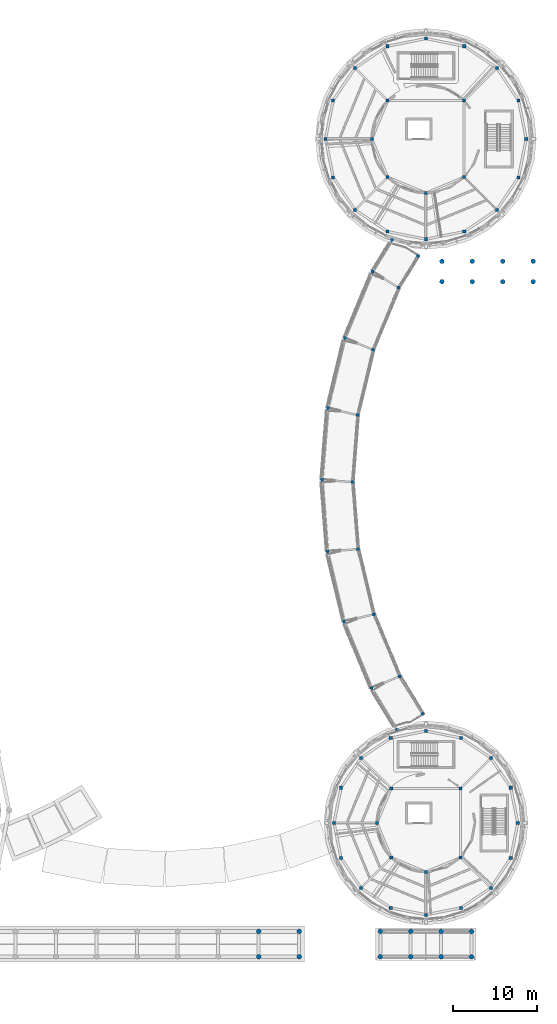
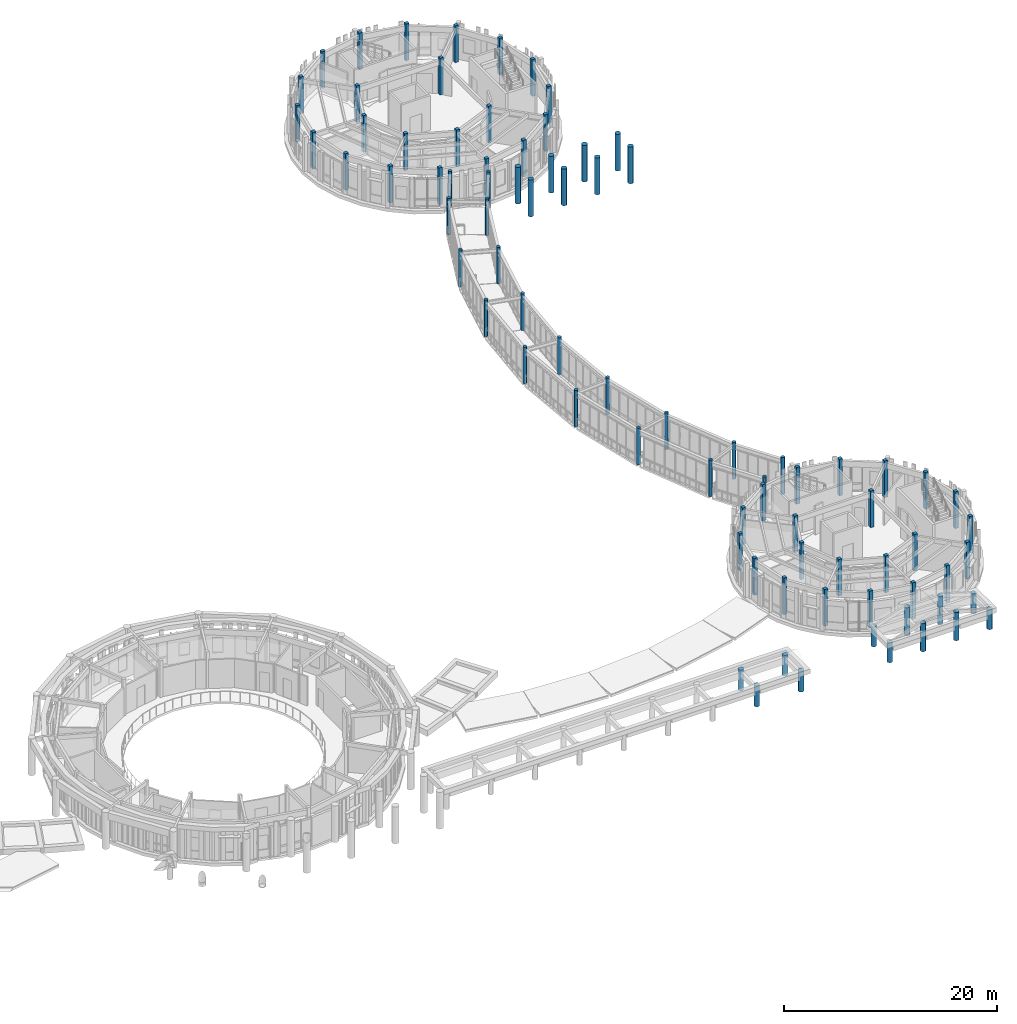
# One storey, part 4 of 80: 82 columns.
"""IFC4 building model written with IfcOpenShell, lengths in metres."""

from ifc_helpers import new_model, si_unit, direction, frame, origin, origin_2d, place, context, subcontext, project, spatial, rectangle, circle, extrude, material, material_profile, profile_set, type_object, element, save


model = new_model("IFC4")

# Units and contexts
model_context = context("Model", 3, precision=1e-05, world=origin(), true_north=direction((0.0, 1.0)))
body_context = subcontext(model_context, "Body", "Model", "MODEL_VIEW")
ifc_project = project(units=[si_unit("LENGTHUNIT", "METRE"), si_unit("AREAUNIT", "SQUARE_METRE"), si_unit("VOLUMEUNIT", "CUBIC_METRE"), si_unit("PLANEANGLEUNIT", "RADIAN"), si_unit("MASSUNIT", "GRAM", prefix="KILO")], contexts=[model_context])

# Site, building, storey
site_placement = place(None, origin())
site = spatial("IfcSite", under=ifc_project, at=site_placement, CompositionType="ELEMENT")
building_placement = place(site_placement, origin())
building = spatial("IfcBuilding", under=site, at=building_placement, Name="Aldenvaro Health Centre", CompositionType="ELEMENT")
storey_placement = place(building_placement, frame((0.0, 0.0, 4.550048828125)))
storey = spatial("IfcBuildingStorey", under=building, at=storey_placement, Name="L01", CompositionType="ELEMENT", Elevation=4.550048828125)

# Columns
ifc_material_1 = material(Name="Glulam GL28h", Category="wood")
ifc_material_profile_1 = material_profile(ifc_material_1, rectangle(XDim=0.364990234375, YDim=0.364990234375, at=origin_2d()), Name="GL 365x365", Category="wood")
ifc_profile_set_1 = profile_set([ifc_material_profile_1], Name="Glulam GL28h")
column_type_1 = type_object("IfcColumnType", Name="COL-GL-365", PredefinedType="COLUMN", material=ifc_profile_set_1)
for number, where, z_axis, x_axis, name in (
    (1, (159.02490234375, 104.02490234375, 0.0), (0.0, 0.0, 1.0), (1.0, 0.0, 0.0), "D2 L01 column IN-01"),
    (2, (149.97509765625, 104.02490234375, 0.0), (0.0, 0.0, 1.0), (1.0, 0.0, 0.0), "D2 L01 column IN-02"),
    (3, (148.10009765625, 99.5, 0.0), (0.0, 0.0, 1.0), (1.0, 0.0, 0.0), "D2 L01 column IN-03"),
    (4, (149.97509765625, 94.97509765625, 0.0), (0.0, 0.0, 1.0), (1.0, 0.0, 0.0), "D2 L01 column IN-04"),
    (5, (154.5, 93.10009765625, 0.0), (0.0, 0.0, 1.0), (1.0, 0.0, 0.0), "D2 L01 column IN-05"),
    (6, (159.02490234375, 94.97509765625, 0.0), (0.0, 0.0, 1.0), (1.0, 0.0, 0.0), "D2 L01 column IN-06"),
    (7, (158.60107421875, 22.60107421875, 0.0), (0.0, 0.0, 1.0), (1.0, 0.0, 0.0), "D6 L01 column IN-01"),
    (8, (150.39892578125, 22.60107421875, 0.0), (0.0, 0.0, 1.0), (1.0, 0.0, 0.0), "D6 L01 column IN-02"),
    (9, (148.699951171875, 18.5, 0.0), (0.0, 0.0, 1.0), (1.0, 0.0, 0.0), "D6 L01 column IN-03"),
    (10, (150.39892578125, 14.39892578125, 0.0), (0.0, 0.0, 1.0), (1.0, 0.0, 0.0), "D6 L01 column IN-04"),
    (11, (154.5, 12.699951171875, 0.0), (0.0, 0.0, 1.0), (1.0, 0.0, 0.0), "D6 L01 column IN-05"),
    (12, (158.60107421875, 14.39892578125, 0.0), (0.0, 0.0, 1.0), (1.0, 0.0, 0.0), "D6 L01 column IN-06"),
):
    element("IfcColumn", number, at=place(storey_placement, frame(where, z_axis=z_axis, x_axis=x_axis)), inside=storey, type_object=column_type_1, Name=name, PredefinedType="COLUMN", context=body_context, shape_type="SweptSolid", body=[
        extrude(rectangle(XDim=0.364990234375, YDim=0.364990234375, at=origin_2d()), origin(), (0.0, 0.0, 1.0), 4.199951171875),
    ])
ifc_material_profile_2 = material_profile(ifc_material_1, rectangle(XDim=0.364990234375, YDim=0.364990234375, at=origin_2d()), Name="GL 365x365", Category="wood")
ifc_profile_set_2 = profile_set([ifc_material_profile_2], Name="Glulam GL28h")
column_type_2 = type_object("IfcColumnType", Name="COL-GL-365E", PredefinedType="COLUMN", material=ifc_profile_set_2)
for number, where, z_axis, x_axis, name in (
    (13, (166.3798828125, 99.5, 0.0), (0.0, 0.0, 1.0), (1.0, 0.0, 0.0), "D2 L01 column OUT-01"),
    (14, (165.47607421875, 104.0458984375, 0.0), (0.0, 0.0, 1.0), (1.0, 0.0, 0.0), "D2 L01 column OUT-02"),
    (15, (162.89990234375, 107.89990234375, 0.0), (0.0, 0.0, 1.0), (1.0, 0.0, 0.0), "D2 L01 column OUT-03"),
    (16, (159.0458984375, 110.47607421875, 0.0), (0.0, 0.0, 1.0), (1.0, 0.0, 0.0), "D2 L01 column OUT-04"),
    (17, (154.5, 111.3798828125, 0.0), (0.0, 0.0, 1.0), (1.0, 0.0, 0.0), "D2 L01 column OUT-05"),
    (18, (149.9541015625, 110.47607421875, 0.0), (0.0, 0.0, 1.0), (1.0, 0.0, 0.0), "D2 L01 column OUT-06"),
    (19, (146.10009765625, 107.89990234375, 0.0), (0.0, 0.0, 1.0), (1.0, 0.0, 0.0), "D2 L01 column OUT-07"),
    (20, (143.52392578125, 104.0458984375, 0.0), (0.0, 0.0, 1.0), (1.0, 0.0, 0.0), "D2 L01 column OUT-08"),
    (21, (142.6201171875, 99.5, 0.0), (0.0, 0.0, 1.0), (1.0, 0.0, 0.0), "D2 L01 column OUT-09"),
    (22, (143.52392578125, 94.9541015625, 0.0), (0.0, 0.0, 1.0), (1.0, 0.0, 0.0), "D2 L01 column OUT-10"),
    (23, (146.10009765625, 91.10009765625, 0.0), (0.0, 0.0, 1.0), (1.0, 0.0, 0.0), "D2 L01 column OUT-11"),
    (24, (149.9541015625, 88.52392578125, 0.0), (0.0, 0.0, 1.0), (1.0, 0.0, 0.0), "D2 L01 column OUT-12"),
    (25, (154.5, 87.6201171875, 0.0), (0.0, 0.0, 1.0), (1.0, 0.0, 0.0), "D2 L01 column OUT-13"),
    (26, (159.0458984375, 88.52392578125, 0.0), (0.0, 0.0, 1.0), (1.0, 0.0, 0.0), "D2 L01 column OUT-14"),
    (27, (162.89990234375, 91.10009765625, 0.0), (0.0, 0.0, 1.0), (1.0, 0.0, 0.0), "D2 L01 column OUT-15"),
    (28, (165.47607421875, 94.9541015625, 0.0), (0.0, 0.0, 1.0), (1.0, 0.0, 0.0), "D2 L01 column OUT-16"),
    (29, (165.3798828125, 18.5, 0.0), (0.0, 0.0, 1.0), (1.0, 0.0, 0.0), "D6 L01 column OUT-01"),
    (30, (164.552001953125, 22.6640625, 0.0), (0.0, 0.0, 1.0), (1.0, 0.0, 0.0), "D6 L01 column OUT-02"),
    (31, (162.193115234375, 26.193115234375, 0.0), (0.0, 0.0, 1.0), (1.0, 0.0, 0.0), "D6 L01 column OUT-03"),
    (32, (158.6640625, 28.552001953125, 0.0), (0.0, 0.0, 1.0), (1.0, 0.0, 0.0), "D6 L01 column OUT-04"),
    (33, (154.5, 29.3798828125, 0.0), (0.0, 0.0, 1.0), (1.0, 0.0, 0.0), "D6 L01 column OUT-05"),
    (34, (150.3359375, 28.552001953125, 0.0), (0.0, 0.0, 1.0), (1.0, 0.0, 0.0), "D6 L01 column OUT-06"),
    (35, (146.806884765625, 26.193115234375, 0.0), (0.0, 0.0, 1.0), (1.0, 0.0, 0.0), "D6 L01 column OUT-07"),
    (36, (144.447998046875, 22.6640625, 0.0), (0.0, 0.0, 1.0), (1.0, 0.0, 0.0), "D6 L01 column OUT-08"),
    (37, (143.6201171875, 18.5, 0.0), (0.0, 0.0, 1.0), (1.0, 0.0, 0.0), "D6 L01 column OUT-09"),
    (38, (144.447998046875, 14.3359375, 0.0), (0.0, 0.0, 1.0), (1.0, 0.0, 0.0), "D6 L01 column OUT-10"),
    (39, (146.806884765625, 10.806884765625, 0.0), (0.0, 0.0, 1.0), (1.0, 0.0, 0.0), "D6 L01 column OUT-11"),
    (40, (150.3359375, 8.447998046875, 0.0), (0.0, 0.0, 1.0), (1.0, 0.0, 0.0), "D6 L01 column OUT-12"),
    (41, (154.5, 7.6201171875, 0.0), (0.0, 0.0, 1.0), (1.0, 0.0, 0.0), "D6 L01 column OUT-13"),
    (42, (158.6640625, 8.447998046875, 0.0), (0.0, 0.0, 1.0), (1.0, 0.0, 0.0), "D6 L01 column OUT-14"),
    (43, (162.193115234375, 10.806884765625, 0.0), (0.0, 0.0, 1.0), (1.0, 0.0, 0.0), "D6 L01 column OUT-15"),
    (44, (164.552001953125, 14.3359375, 0.0), (0.0, 0.0, 1.0), (1.0, 0.0, 0.0), "D6 L01 column OUT-16"),
):
    element("IfcColumn", number, at=place(storey_placement, frame(where, z_axis=z_axis, x_axis=x_axis)), inside=storey, type_object=column_type_2, Name=name, PredefinedType="COLUMN", context=body_context, shape_type="SweptSolid", body=[
        extrude(rectangle(XDim=0.364990234375, YDim=0.364990234375, at=origin_2d()), origin(), (0.0, 0.0, 1.0), 4.199951171875),
    ])
ifc_material_profile_3 = material_profile(ifc_material_1, circle(Radius=0.18994140625, at=origin_2d()), Name="GL D380", Category="wood")
ifc_profile_set_3 = profile_set([ifc_material_profile_3], Name="Glulam GL28h")
column_type_3 = type_object("IfcColumnType", Name="COL-GL-D380", PredefinedType="PILASTER", material=ifc_profile_set_3)
for number, where, z_axis, x_axis, name in (
    (45, (153.55810546875, 85.64892578125, 0.0), (0.0, 0.0, 1.0), (1.0, 0.0, 0.0), "East Curved Garden Colonnade Arc 1 L01 column 1.1"),
    (46, (150.488037109375, 87.530029296875, 0.0), (0.0, 0.0, 1.0), (1.0, 0.0, 0.0), "East Curved Garden Colonnade Arc 1 L01 column 1.2"),
    (47, (151.257080078125, 81.89404296875, 0.0), (0.0, 0.0, 1.0), (1.0, 0.0, 0.0), "East Curved Garden Colonnade Arc 1 L01 column 2.1"),
    (48, (148.18701171875, 83.77587890625, 0.0), (0.0, 0.0, 1.0), (1.0, 0.0, 0.0), "East Curved Garden Colonnade Arc 1 L01 column 2.2"),
    (49, (148.23291015625, 74.533935546875, 0.0), (0.0, 0.0, 1.0), (1.0, 0.0, 0.0), "East Curved Garden Colonnade Arc 2 L01 column 2.1"),
    (50, (144.906982421875, 75.912109375, 0.0), (0.0, 0.0, 1.0), (1.0, 0.0, 0.0), "East Curved Garden Colonnade Arc 2 L01 column 2.2"),
    (51, (146.39599609375, 66.79296875, 0.0), (0.0, 0.0, 1.0), (1.0, 0.0, 0.0), "East Curved Garden Colonnade Arc 3 L01 column 2.1"),
    (52, (142.89599609375, 67.633056640625, 0.0), (0.0, 0.0, 1.0), (1.0, 0.0, 0.0), "East Curved Garden Colonnade Arc 3 L01 column 2.2"),
    (53, (145.7939453125, 58.85888671875, 0.0), (0.0, 0.0, 1.0), (1.0, 0.0, 0.0), "East Curved Garden Colonnade Arc 4 L01 column 2.1"),
    (54, (142.2060546875, 59.14111328125, 0.0), (0.0, 0.0, 1.0), (1.0, 0.0, 0.0), "East Curved Garden Colonnade Arc 4 L01 column 2.2"),
    (55, (146.43994140625, 50.927978515625, 0.0), (0.0, 0.0, 1.0), (1.0, 0.0, 0.0), "East Curved Garden Colonnade Arc 5 L01 column 2.1"),
    (56, (142.85205078125, 50.64599609375, 0.0), (0.0, 0.0, 1.0), (1.0, 0.0, 0.0), "East Curved Garden Colonnade Arc 5 L01 column 2.2"),
    (57, (148.320068359375, 43.197021484375, 0.0), (0.0, 0.0, 1.0), (1.0, 0.0, 0.0), "East Curved Garden Colonnade Arc 6 L01 column 2.1"),
    (58, (144.820068359375, 42.35693359375, 0.0), (0.0, 0.0, 1.0), (1.0, 0.0, 0.0), "East Curved Garden Colonnade Arc 6 L01 column 2.2"),
    (59, (151.385009765625, 35.85400390625, 0.0), (0.0, 0.0, 1.0), (1.0, 0.0, 0.0), "East Curved Garden Colonnade Arc 7 L01 column 2.1"),
    (60, (148.05908203125, 34.47607421875, 0.0), (0.0, 0.0, 1.0), (1.0, 0.0, 0.0), "East Curved Garden Colonnade Arc 7 L01 column 2.2"),
    (61, (154.125, 31.425048828125, 0.0), (0.0, 0.0, 1.0), (1.0, 0.0, 0.0), "East Curved Garden Colonnade Arc 8 L01 column 2.1"),
    (62, (151.055908203125, 29.5439453125, 0.0), (0.0, 0.0, 1.0), (1.0, 0.0, 0.0), "East Curved Garden Colonnade Arc 8 L01 column 2.2"),
):
    element("IfcColumn", number, at=place(storey_placement, frame(where, z_axis=z_axis, x_axis=x_axis)), inside=storey, type_object=column_type_3, Name=name, PredefinedType="PILASTER", context=body_context, shape_type="SweptSolid", body=[
        extrude(circle(Radius=0.18994140625, at=origin_2d()), origin(), (0.0, 0.0, 1.0), 4.199951171875),
    ])
ifc_material_2 = material(Name="Concrete f'c 40 MPa", Category="concrete")
ifc_material_profile_4 = material_profile(ifc_material_2, circle(Radius=0.27490234375, at=origin_2d()), Name="RC D550", Category="concrete")
ifc_profile_set_4 = profile_set([ifc_material_profile_4], Name="Concrete f'c 40 MPa")
column_type_4 = type_object("IfcColumnType", Name="COL-RC-D550", PredefinedType="PILASTER", material=ifc_profile_set_4)
for number, where, z_axis, x_axis, name in (
    (63, (134.699951171875, 2.64990234375, 0.0), (0.0, 0.0, 1.0), (1.0, 0.0, 0.0), "South Neoclassical Stoa E Upper Column 8.1"),
    (64, (134.699951171875, 5.64990234375, 0.0), (0.0, 0.0, 1.0), (1.0, 0.0, 0.0), "South Neoclassical Stoa E Upper Column 8.2"),
    (65, (139.5, 2.64990234375, 0.0), (0.0, 0.0, 1.0), (1.0, 0.0, 0.0), "South Neoclassical Stoa E Upper Column 9.1"),
    (66, (139.5, 5.64990234375, 0.0), (0.0, 0.0, 1.0), (1.0, 0.0, 0.0), "South Neoclassical Stoa E Upper Column 9.2"),
):
    element("IfcColumn", number, at=place(storey_placement, frame(where, z_axis=z_axis, x_axis=x_axis)), inside=storey, type_object=column_type_4, Name=name, PredefinedType="PILASTER", context=body_context, shape_type="SweptSolid", body=[
        extrude(circle(Radius=0.27490234375, at=origin_2d()), origin(), (0.0, 0.0, 1.0), 2.39990234375),
    ])
for number, where, z_axis, x_axis, name in (
    (67, (149.10009765625, 2.64990234375, 0.0), (0.0, 0.0, 1.0), (1.0, 0.0, 0.0), "Pavilion Tetrastyle Portico E6 Upper Column 1.1"),
    (68, (149.10009765625, 5.64990234375, 0.0), (0.0, 0.0, 1.0), (1.0, 0.0, 0.0), "Pavilion Tetrastyle Portico E6 Upper Column 1.2"),
):
    element("IfcColumn", number, at=place(storey_placement, frame(where, z_axis=z_axis, x_axis=x_axis)), inside=storey, type_object=column_type_4, Name=name, PredefinedType="PILASTER", context=body_context, shape_type="SweptSolid", body=[
        extrude(circle(Radius=0.27490234375, at=origin_2d()), origin(), (0.0, 0.0, 1.0), 2.2900390625),
    ])
for number, where, z_axis, x_axis, name in (
    (69, (152.699951171875, 2.64990234375, 0.0), (0.0, 0.0, 1.0), (1.0, 0.0, 0.0), "Pavilion Tetrastyle Portico E6 Upper Column 2.1"),
    (70, (152.699951171875, 5.64990234375, 0.0), (0.0, 0.0, 1.0), (1.0, 0.0, 0.0), "Pavilion Tetrastyle Portico E6 Upper Column 2.2"),
    (71, (156.300048828125, 2.64990234375, 0.0), (0.0, 0.0, 1.0), (1.0, 0.0, 0.0), "Pavilion Tetrastyle Portico E6 Upper Column 3.1"),
    (72, (156.300048828125, 5.64990234375, 0.0), (0.0, 0.0, 1.0), (1.0, 0.0, 0.0), "Pavilion Tetrastyle Portico E6 Upper Column 3.2"),
):
    element("IfcColumn", number, at=place(storey_placement, frame(where, z_axis=z_axis, x_axis=x_axis)), inside=storey, type_object=column_type_4, Name=name, PredefinedType="PILASTER", context=body_context, shape_type="SweptSolid", body=[
        extrude(circle(Radius=0.27490234375, at=origin_2d()), origin(), (0.0, 0.0, 1.0), 3.2099609375),
    ])
for number, where, z_axis, x_axis, name in (
    (73, (159.89990234375, 2.64990234375, 0.0), (0.0, 0.0, 1.0), (1.0, 0.0, 0.0), "Pavilion Tetrastyle Portico E6 Upper Column 4.1"),
    (74, (159.89990234375, 5.64990234375, 0.0), (0.0, 0.0, 1.0), (1.0, 0.0, 0.0), "Pavilion Tetrastyle Portico E6 Upper Column 4.2"),
):
    element("IfcColumn", number, at=place(storey_placement, frame(where, z_axis=z_axis, x_axis=x_axis)), inside=storey, type_object=column_type_4, Name=name, PredefinedType="PILASTER", context=body_context, shape_type="SweptSolid", body=[
        extrude(circle(Radius=0.27490234375, at=origin_2d()), origin(), (0.0, 0.0, 1.0), 2.2900390625),
    ])
for number, where, z_axis, x_axis, name in (
    (75, (156.39990234375, 82.60009765625, 0.0), (0.0, 0.0, 1.0), (1.0, 0.0, 0.0), "Bastion Tetrastyle Portico N2 Shaft Column 1.1"),
    (76, (156.39990234375, 85.0, 0.0), (0.0, 0.0, 1.0), (1.0, 0.0, 0.0), "Bastion Tetrastyle Portico N2 Shaft Column 1.2"),
    (77, (160.0, 82.60009765625, 0.0), (0.0, 0.0, 1.0), (1.0, 0.0, 0.0), "Bastion Tetrastyle Portico N2 Shaft Column 2.1"),
    (78, (160.0, 85.0, 0.0), (0.0, 0.0, 1.0), (1.0, 0.0, 0.0), "Bastion Tetrastyle Portico N2 Shaft Column 2.2"),
    (79, (163.60009765625, 82.60009765625, 0.0), (0.0, 0.0, 1.0), (1.0, 0.0, 0.0), "Bastion Tetrastyle Portico N2 Shaft Column 3.1"),
    (80, (163.60009765625, 85.0, 0.0), (0.0, 0.0, 1.0), (1.0, 0.0, 0.0), "Bastion Tetrastyle Portico N2 Shaft Column 3.2"),
    (81, (167.199951171875, 82.60009765625, 0.0), (0.0, 0.0, 1.0), (1.0, 0.0, 0.0), "Bastion Tetrastyle Portico N2 Shaft Column 4.1"),
    (82, (167.199951171875, 85.0, 0.0), (0.0, 0.0, 1.0), (1.0, 0.0, 0.0), "Bastion Tetrastyle Portico N2 Shaft Column 4.2"),
):
    element("IfcColumn", number, at=place(storey_placement, frame(where, z_axis=z_axis, x_axis=x_axis)), inside=storey, type_object=column_type_4, Name=name, PredefinedType="PILASTER", context=body_context, shape_type="SweptSolid", body=[
        extrude(circle(Radius=0.27490234375, at=origin_2d()), origin(), (0.0, 0.0, 1.0), 4.199951171875),
    ])

save(model, "model.ifc")
